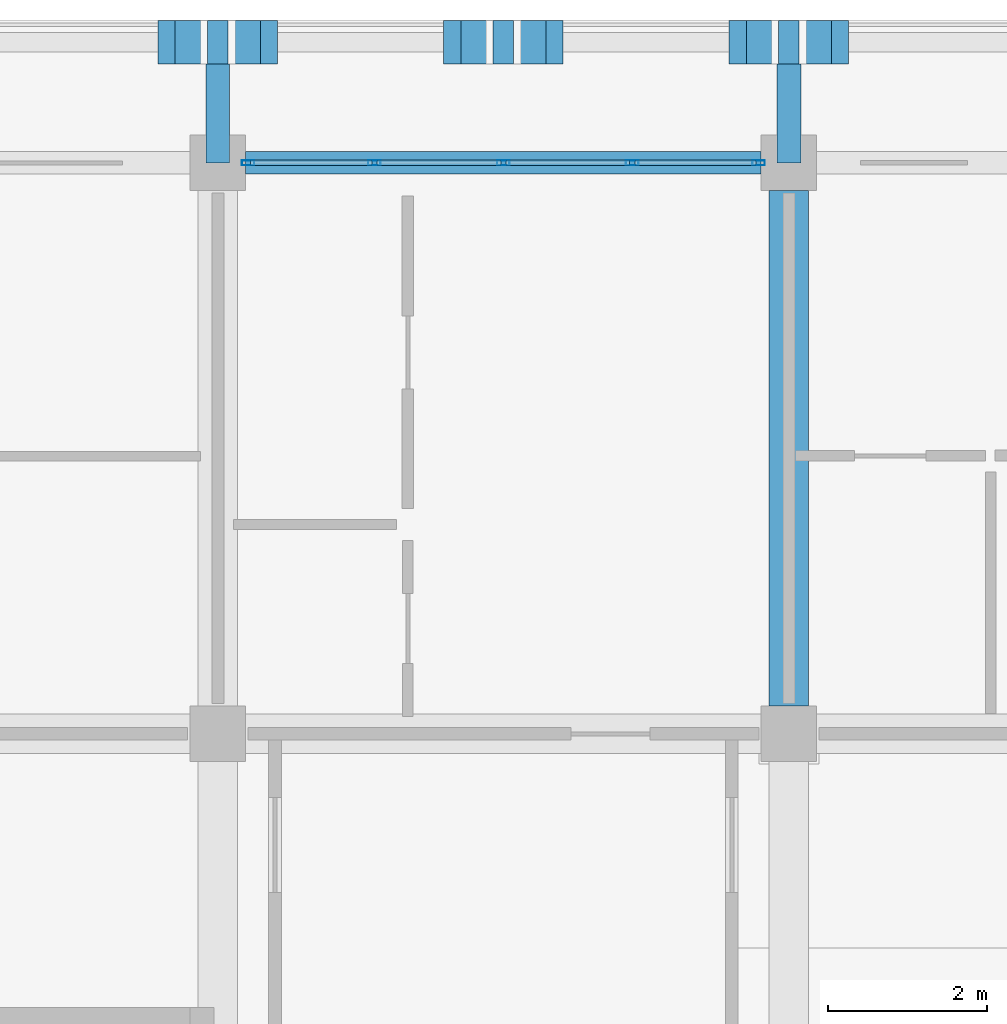
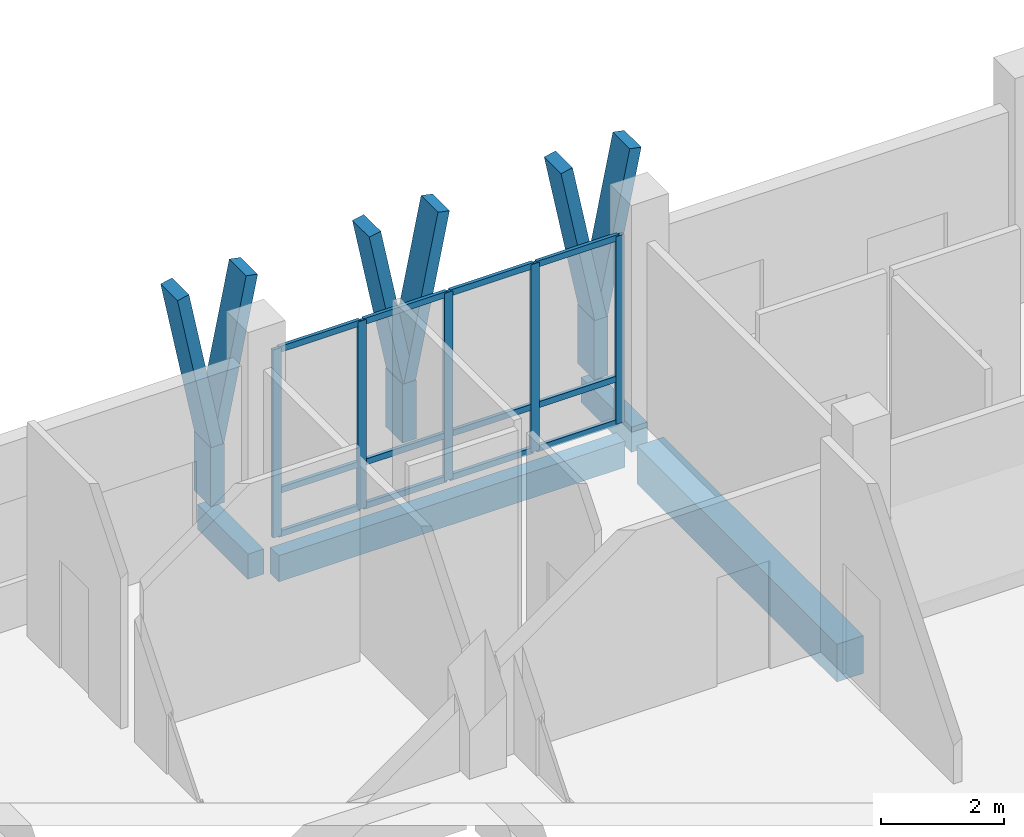
# One storey, part 54 of 110: 26 members, 4 beams, 1 element without a shape of its own.
"""IFC4 building model written with IfcOpenShell, lengths in metres."""

from ifc_helpers import new_model, si_unit, direction, frame, origin, origin_2d, place, context, subcontext, project, spatial, rectangle, hollow_rectangle, extrude, material, material_profile, profile_set, type_object, element, aggregate, save


model = new_model("IFC4")

# Units and contexts
model_context = context("Model", 3, precision=1e-05, world=origin(), true_north=direction((0.0, 1.0)))
body_context = subcontext(model_context, "Body", "Model", "MODEL_VIEW")
ifc_project = project(units=[si_unit("LENGTHUNIT", "METRE"), si_unit("AREAUNIT", "SQUARE_METRE"), si_unit("VOLUMEUNIT", "CUBIC_METRE"), si_unit("PLANEANGLEUNIT", "RADIAN"), si_unit("MASSUNIT", "GRAM", prefix="KILO")], contexts=[model_context])

# Site, building, storey
site_placement = place(None, origin())
site = spatial("IfcSite", under=ifc_project, at=site_placement, CompositionType="ELEMENT")
building_placement = place(site_placement, origin())
building = spatial("IfcBuilding", under=site, at=building_placement, Name="Suanplinth Sawtooth Commons", CompositionType="ELEMENT")
storey_placement = place(building_placement, frame((0.0, 0.0, 4.5)))
storey = spatial("IfcBuildingStorey", under=building, at=storey_placement, Name="L01", CompositionType="ELEMENT", Elevation=4.5)

# Beams
ifc_material_1 = material(Name="Concrete C40/50", Category="concrete")
ifc_material_profile_1 = material_profile(ifc_material_1, rectangle(XDim=0.5, YDim=0.75, at=origin_2d()), Name="RC-GDR 500x750")
ifc_profile_set_1 = profile_set([ifc_material_profile_1], Name="Concrete C40/50")
beam_type_1 = type_object("IfcBeamType", Name="B-03", PredefinedType="USERDEFINED", material=ifc_profile_set_1)
beam_1_placement = place(storey_placement, frame((172.800048828125, 115.550048828125, -0.675048828125), z_axis=(0.0, 1.0, 0.0), x_axis=(-1.0, 0.0, 0.0)))
element("IfcBeam", 1, at=beam_1_placement, inside=storey, type_object=beam_type_1, Name="BMY-L01-B-24-16", ObjectType="GIRDER", PredefinedType="USERDEFINED", context=body_context, shape_type="SweptSolid", body=[
    extrude(rectangle(XDim=0.5, YDim=0.75, at=origin_2d()), origin(), (0.0, 0.0, 1.0), 6.5),
])
ifc_material_2 = material(Name="Precast concrete C40/50", Category="concrete")
ifc_material_profile_2 = material_profile(ifc_material_2, rectangle(XDim=0.300048828125, YDim=0.5, at=origin_2d()), Name="PC-BM 300x500")
ifc_profile_set_2 = profile_set([ifc_material_profile_2], Name="Precast concrete C40/50")
beam_type_2 = type_object("IfcBeamType", Name="B-07", PredefinedType="BEAM", material=ifc_profile_set_2)
for number, where, z_axis, x_axis, name in (
    (2, (165.60009765625, 122.39990234375, -0.429931640625), (0.0, 1.0, 0.0), (-1.0, 0.0, 0.0), "Balcony Outrigger L01-B-N-23"),
    (3, (172.800048828125, 122.39990234375, -0.429931640625), (0.0, 1.0, 0.0), (-1.0, 0.0, 0.0), "Balcony Outrigger L01-B-N-24"),
):
    element("IfcBeam", number, at=place(storey_placement, frame(where, z_axis=z_axis, x_axis=x_axis)), inside=storey, type_object=beam_type_2, Name=name, PredefinedType="BEAM", context=body_context, shape_type="SweptSolid", body=[
        extrude(rectangle(XDim=0.300048828125, YDim=0.5, at=origin_2d()), origin(), (0.0, 0.0, 1.0), 1.64013671875),
    ])
ifc_material_profile_3 = material_profile(ifc_material_2, rectangle(XDim=0.280029296875, YDim=0.52001953125, at=origin_2d()), Name="PC-SP 280x520")
ifc_profile_set_3 = profile_set([ifc_material_profile_3], Name="Precast concrete C40/50")
beam_type_3 = type_object("IfcBeamType", Name="B-08", PredefinedType="SPANDREL", material=ifc_profile_set_3)
beam_2_placement = place(storey_placement, frame((165.949951171875, 122.39990234375, -0.56005859375), z_axis=(1.0, 0.0, 0.0), x_axis=(0.0, 1.0, 0.0)))
element("IfcBeam", 4, at=beam_2_placement, inside=storey, type_object=beam_type_3, Name="BMX-L01-B-23-17", PredefinedType="SPANDREL", context=body_context, shape_type="SweptSolid", body=[
    extrude(rectangle(XDim=0.280029296875, YDim=0.52001953125, at=origin_2d()), origin(), (0.0, 0.0, 1.0), 6.5),
])

# Members
ifc_material_3 = material(Name="Pigmented precast concrete C40/50", Category="concrete")
ifc_material_profile_4 = material_profile(ifc_material_3, rectangle(XDim=0.260009765625, YDim=0.550048828125, at=origin_2d()), Name="PC-FIN 260x550")
ifc_profile_set_4 = profile_set([ifc_material_profile_4], Name="Pigmented precast concrete C40/50")
member_type_1 = type_object("IfcMemberType", Name="M-09", PredefinedType="USERDEFINED", material=ifc_profile_set_4)
for number, where, z_axis, x_axis, name in (
    (5, (165.60009765625, 123.919921875, 0.0), (0.0, 0.0, 1.0), (1.0, 0.0, 0.0), "Y-Blade Stem L01-B-N-06"),
    (6, (169.199951171875, 123.919921875, 0.0), (0.0, 0.0, 1.0), (1.0, 0.0, 0.0), "Y-Blade Stem L01-B-N-07"),
    (7, (172.800048828125, 123.919921875, 0.0), (0.0, 0.0, 1.0), (1.0, 0.0, 0.0), "Y-Blade Stem L01-B-N-08"),
):
    element("IfcMember", number, at=place(storey_placement, frame(where, z_axis=z_axis, x_axis=x_axis)), inside=storey, type_object=member_type_1, Name=name, ObjectType="SHADING FIN", PredefinedType="USERDEFINED", context=body_context, shape_type="SweptSolid", body=[
        extrude(rectangle(XDim=0.260009765625, YDim=0.550048828125, at=origin_2d()), origin(), (0.0, 0.0, 1.0), 1.169921875),
    ])
ifc_material_profile_5 = material_profile(ifc_material_3, rectangle(XDim=0.219970703125, YDim=0.550048828125, at=origin_2d()), Name="PC-FIN 220x550")
ifc_profile_set_5 = profile_set([ifc_material_profile_5], Name="Pigmented precast concrete C40/50")
member_type_2 = type_object("IfcMemberType", Name="M-10", PredefinedType="USERDEFINED", material=ifc_profile_set_5)
member_1_placement = place(storey_placement, frame((165.60009765625, 123.919921875, 1.1298828125), z_axis=(-0.197582858822, 0.0, 0.980286189793), x_axis=(0.980286189793, 0.0, 0.197582858822)))
element("IfcMember", 8, at=member_1_placement, inside=storey, type_object=member_type_2, Name="Y-Blade Arm L L01-B-N-06", ObjectType="SHADING FIN", PredefinedType="USERDEFINED", context=body_context, shape_type="SweptSolid", body=[
    extrude(rectangle(XDim=0.219970703125, YDim=0.550048828125, at=origin_2d()), origin(), (0.0, 0.0, 1.0), 3.2646484375),
])
for number, where, z_axis, x_axis, name in (
    (9, (165.60009765625, 123.919921875, 1.1298828125), (0.197510991436, 0.0, 0.980300672377), (-0.980300672377, 0.0, 0.197510991436), "Y-Blade Arm R L01-B-N-06"),
    (10, (169.199951171875, 123.919921875, 1.1298828125), (-0.197510991436, 0.0, 0.980300672377), (0.980300672377, 0.0, 0.197510991436), "Y-Blade Arm L L01-B-N-07"),
):
    element("IfcMember", number, at=place(storey_placement, frame(where, z_axis=z_axis, x_axis=x_axis)), inside=storey, type_object=member_type_2, Name=name, ObjectType="SHADING FIN", PredefinedType="USERDEFINED", context=body_context, shape_type="SweptSolid", body=[
        extrude(rectangle(XDim=0.219970703125, YDim=0.550048828125, at=origin_2d()), origin(), (0.0, 0.0, 1.0), 3.264404296875),
    ])
for number, where, z_axis, x_axis, name in (
    (11, (169.199951171875, 123.919921875, 1.1298828125), (0.197582858822, 0.0, 0.980286189793), (-0.980286189793, 0.0, 0.197582858822), "Y-Blade Arm R L01-B-N-07"),
    (12, (172.800048828125, 123.919921875, 1.1298828125), (-0.197582858822, 0.0, 0.980286189793), (0.980286189793, 0.0, 0.197582858822), "Y-Blade Arm L L01-B-N-08"),
):
    element("IfcMember", number, at=place(storey_placement, frame(where, z_axis=z_axis, x_axis=x_axis)), inside=storey, type_object=member_type_2, Name=name, ObjectType="SHADING FIN", PredefinedType="USERDEFINED", context=body_context, shape_type="SweptSolid", body=[
        extrude(rectangle(XDim=0.219970703125, YDim=0.550048828125, at=origin_2d()), origin(), (0.0, 0.0, 1.0), 3.2646484375),
    ])
member_2_placement = place(storey_placement, frame((172.800048828125, 123.919921875, 1.1298828125), z_axis=(0.197510991436, 0.0, 0.980300672377), x_axis=(-0.980300672377, 0.0, 0.197510991436)))
element("IfcMember", 13, at=member_2_placement, inside=storey, type_object=member_type_2, Name="Y-Blade Arm R L01-B-N-08", ObjectType="SHADING FIN", PredefinedType="USERDEFINED", context=body_context, shape_type="SweptSolid", body=[
    extrude(rectangle(XDim=0.219970703125, YDim=0.550048828125, at=origin_2d()), origin(), (0.0, 0.0, 1.0), 3.264404296875),
])

# Curtain wall, members
ifc_material_4 = material(Name="Anodized aluminium and low-E glazing", Category="aluminium")
curtain_wall_type = type_object("IfcCurtainWallType", Name="CW-06", PredefinedType="USERDEFINED", material=ifc_material_4)
curtain_wall_placement = place(storey_placement, origin())
curtain_wall = element("IfcCurtainWall", 14, at=curtain_wall_placement, inside=storey, type_object=curtain_wall_type, Name="Curtain Wall CW-L01-B-LOUNGE-23", ObjectType="CURTAIN WALL", PredefinedType="USERDEFINED")
ifc_material_5 = material(Name="Anodized aluminium 6063-T6", Category="aluminium")
ifc_material_profile_6 = material_profile(ifc_material_5, hollow_rectangle(XDim=0.06494140625, YDim=0.159912109375, WallThickness=0.00390625, at=origin_2d()), Name="ALU-MUL 65x160")
ifc_profile_set_6 = profile_set([ifc_material_profile_6], Name="Anodized aluminium 6063-T6")
member_type_3 = type_object("IfcMemberType", Name="M-13", PredefinedType="MULLION", material=ifc_profile_set_6)
member_3_placement = place(storey_placement, frame((165.982421875, 122.39990234375, 0.0), z_axis=(0.0, 0.0, 1.0), x_axis=(0.0, 1.0, 0.0)))
member_3 = element("IfcMember", 15, at=member_3_placement, type_object=member_type_3, Name="CW-06 mullion 1", PredefinedType="MULLION", context=body_context, shape_type="SweptSolid", body=[
    extrude(hollow_rectangle(XDim=0.06494140625, YDim=0.159912109375, WallThickness=0.00390625, at=origin_2d()), origin(), (0.0, 0.0, 1.0), 3.72998046875),
])
member_4_placement = place(storey_placement, frame((167.574951171875, 122.39990234375, 0.0), z_axis=(0.0, 0.0, 1.0), x_axis=(0.0, 1.0, 0.0)))
member_4 = element("IfcMember", 16, at=member_4_placement, type_object=member_type_3, Name="CW-06 mullion 2", PredefinedType="MULLION", context=body_context, shape_type="SweptSolid", body=[
    extrude(hollow_rectangle(XDim=0.06494140625, YDim=0.159912109375, WallThickness=0.00390625, at=origin_2d()), origin(), (0.0, 0.0, 1.0), 3.72998046875),
])
member_5_placement = place(storey_placement, frame((169.199951171875, 122.39990234375, 0.0), z_axis=(0.0, 0.0, 1.0), x_axis=(0.0, 1.0, 0.0)))
member_5 = element("IfcMember", 17, at=member_5_placement, type_object=member_type_3, Name="CW-06 mullion 3", PredefinedType="MULLION", context=body_context, shape_type="SweptSolid", body=[
    extrude(hollow_rectangle(XDim=0.06494140625, YDim=0.159912109375, WallThickness=0.00390625, at=origin_2d()), origin(), (0.0, 0.0, 1.0), 3.72998046875),
])
member_6_placement = place(storey_placement, frame((170.824951171875, 122.39990234375, 0.0), z_axis=(0.0, 0.0, 1.0), x_axis=(0.0, 1.0, 0.0)))
member_6 = element("IfcMember", 18, at=member_6_placement, type_object=member_type_3, Name="CW-06 mullion 4", PredefinedType="MULLION", context=body_context, shape_type="SweptSolid", body=[
    extrude(hollow_rectangle(XDim=0.06494140625, YDim=0.159912109375, WallThickness=0.00390625, at=origin_2d()), origin(), (0.0, 0.0, 1.0), 3.72998046875),
])
member_7_placement = place(storey_placement, frame((172.41748046875, 122.39990234375, 0.0), z_axis=(0.0, 0.0, 1.0), x_axis=(0.0, 1.0, 0.0)))
member_7 = element("IfcMember", 19, at=member_7_placement, type_object=member_type_3, Name="CW-06 mullion 5", PredefinedType="MULLION", context=body_context, shape_type="SweptSolid", body=[
    extrude(hollow_rectangle(XDim=0.06494140625, YDim=0.159912109375, WallThickness=0.00390625, at=origin_2d()), origin(), (0.0, 0.0, 1.0), 3.72998046875),
])
ifc_material_profile_7 = material_profile(ifc_material_5, hollow_rectangle(XDim=0.06494140625, YDim=0.1201171875, WallThickness=0.00390625, at=origin_2d()), Name="ALU-TRN 65x120")
ifc_profile_set_7 = profile_set([ifc_material_profile_7], Name="Anodized aluminium 6063-T6")
member_type_4 = type_object("IfcMemberType", Name="M-15", PredefinedType="USERDEFINED", material=ifc_profile_set_7)
member_8_placement = place(storey_placement, frame((166.014892578125, 122.39990234375, 0.032470703125), z_axis=(1.0, 0.0, 0.0), x_axis=(0.0, 1.0, 0.0)))
member_8 = element("IfcMember", 20, at=member_8_placement, type_object=member_type_4, Name="CW-06 transom 1.1", ObjectType="TRANSOM", PredefinedType="USERDEFINED", context=body_context, shape_type="SweptSolid", body=[
    extrude(hollow_rectangle(XDim=0.06494140625, YDim=0.1201171875, WallThickness=0.00390625, at=origin_2d()), origin(), (0.0, 0.0, 1.0), 1.527587890625),
])
member_9_placement = place(storey_placement, frame((166.014892578125, 122.39990234375, 0.89990234375), z_axis=(1.0, 0.0, 0.0), x_axis=(0.0, 1.0, 0.0)))
member_9 = element("IfcMember", 21, at=member_9_placement, type_object=member_type_4, Name="CW-06 transom 1.2", ObjectType="TRANSOM", PredefinedType="USERDEFINED", context=body_context, shape_type="SweptSolid", body=[
    extrude(hollow_rectangle(XDim=0.06494140625, YDim=0.1201171875, WallThickness=0.00390625, at=origin_2d()), origin(), (0.0, 0.0, 1.0), 1.527587890625),
])
member_10_placement = place(storey_placement, frame((166.014892578125, 122.39990234375, 3.697509765625), z_axis=(1.0, 0.0, 0.0), x_axis=(0.0, 1.0, 0.0)))
member_10 = element("IfcMember", 22, at=member_10_placement, type_object=member_type_4, Name="CW-06 transom 1.3", ObjectType="TRANSOM", PredefinedType="USERDEFINED", context=body_context, shape_type="SweptSolid", body=[
    extrude(hollow_rectangle(XDim=0.06494140625, YDim=0.1201171875, WallThickness=0.00390625, at=origin_2d()), origin(), (0.0, 0.0, 1.0), 1.527587890625),
])
member_11_placement = place(storey_placement, frame((167.607421875, 122.39990234375, 0.032470703125), z_axis=(1.0, 0.0, 0.0), x_axis=(0.0, 1.0, 0.0)))
member_11 = element("IfcMember", 23, at=member_11_placement, type_object=member_type_4, Name="CW-06 transom 2.1", ObjectType="TRANSOM", PredefinedType="USERDEFINED", context=body_context, shape_type="SweptSolid", body=[
    extrude(hollow_rectangle(XDim=0.06494140625, YDim=0.1201171875, WallThickness=0.00390625, at=origin_2d()), origin(), (0.0, 0.0, 1.0), 1.56005859375),
])
member_12_placement = place(storey_placement, frame((167.607421875, 122.39990234375, 0.89990234375), z_axis=(1.0, 0.0, 0.0), x_axis=(0.0, 1.0, 0.0)))
member_12 = element("IfcMember", 24, at=member_12_placement, type_object=member_type_4, Name="CW-06 transom 2.2", ObjectType="TRANSOM", PredefinedType="USERDEFINED", context=body_context, shape_type="SweptSolid", body=[
    extrude(hollow_rectangle(XDim=0.06494140625, YDim=0.1201171875, WallThickness=0.00390625, at=origin_2d()), origin(), (0.0, 0.0, 1.0), 1.56005859375),
])
member_13_placement = place(storey_placement, frame((167.607421875, 122.39990234375, 3.697509765625), z_axis=(1.0, 0.0, 0.0), x_axis=(0.0, 1.0, 0.0)))
member_13 = element("IfcMember", 25, at=member_13_placement, type_object=member_type_4, Name="CW-06 transom 2.3", ObjectType="TRANSOM", PredefinedType="USERDEFINED", context=body_context, shape_type="SweptSolid", body=[
    extrude(hollow_rectangle(XDim=0.06494140625, YDim=0.1201171875, WallThickness=0.00390625, at=origin_2d()), origin(), (0.0, 0.0, 1.0), 1.56005859375),
])
member_14_placement = place(storey_placement, frame((169.232421875, 122.39990234375, 0.032470703125), z_axis=(1.0, 0.0, 0.0), x_axis=(0.0, 1.0, 0.0)))
member_14 = element("IfcMember", 26, at=member_14_placement, type_object=member_type_4, Name="CW-06 transom 3.1", ObjectType="TRANSOM", PredefinedType="USERDEFINED", context=body_context, shape_type="SweptSolid", body=[
    extrude(hollow_rectangle(XDim=0.06494140625, YDim=0.1201171875, WallThickness=0.00390625, at=origin_2d()), origin(), (0.0, 0.0, 1.0), 1.56005859375),
])
member_15_placement = place(storey_placement, frame((169.232421875, 122.39990234375, 0.89990234375), z_axis=(1.0, 0.0, 0.0), x_axis=(0.0, 1.0, 0.0)))
member_15 = element("IfcMember", 27, at=member_15_placement, type_object=member_type_4, Name="CW-06 transom 3.2", ObjectType="TRANSOM", PredefinedType="USERDEFINED", context=body_context, shape_type="SweptSolid", body=[
    extrude(hollow_rectangle(XDim=0.06494140625, YDim=0.1201171875, WallThickness=0.00390625, at=origin_2d()), origin(), (0.0, 0.0, 1.0), 1.56005859375),
])
member_16_placement = place(storey_placement, frame((169.232421875, 122.39990234375, 3.697509765625), z_axis=(1.0, 0.0, 0.0), x_axis=(0.0, 1.0, 0.0)))
member_16 = element("IfcMember", 28, at=member_16_placement, type_object=member_type_4, Name="CW-06 transom 3.3", ObjectType="TRANSOM", PredefinedType="USERDEFINED", context=body_context, shape_type="SweptSolid", body=[
    extrude(hollow_rectangle(XDim=0.06494140625, YDim=0.1201171875, WallThickness=0.00390625, at=origin_2d()), origin(), (0.0, 0.0, 1.0), 1.56005859375),
])
member_17_placement = place(storey_placement, frame((170.857421875, 122.39990234375, 0.032470703125), z_axis=(1.0, 0.0, 0.0), x_axis=(0.0, 1.0, 0.0)))
member_17 = element("IfcMember", 29, at=member_17_placement, type_object=member_type_4, Name="CW-06 transom 4.1", ObjectType="TRANSOM", PredefinedType="USERDEFINED", context=body_context, shape_type="SweptSolid", body=[
    extrude(hollow_rectangle(XDim=0.06494140625, YDim=0.1201171875, WallThickness=0.00390625, at=origin_2d()), origin(), (0.0, 0.0, 1.0), 1.527587890625),
])
member_18_placement = place(storey_placement, frame((170.857421875, 122.39990234375, 0.89990234375), z_axis=(1.0, 0.0, 0.0), x_axis=(0.0, 1.0, 0.0)))
member_18 = element("IfcMember", 30, at=member_18_placement, type_object=member_type_4, Name="CW-06 transom 4.2", ObjectType="TRANSOM", PredefinedType="USERDEFINED", context=body_context, shape_type="SweptSolid", body=[
    extrude(hollow_rectangle(XDim=0.06494140625, YDim=0.1201171875, WallThickness=0.00390625, at=origin_2d()), origin(), (0.0, 0.0, 1.0), 1.527587890625),
])
member_19_placement = place(storey_placement, frame((170.857421875, 122.39990234375, 3.697509765625), z_axis=(1.0, 0.0, 0.0), x_axis=(0.0, 1.0, 0.0)))
member_19 = element("IfcMember", 31, at=member_19_placement, type_object=member_type_4, Name="CW-06 transom 4.3", ObjectType="TRANSOM", PredefinedType="USERDEFINED", context=body_context, shape_type="SweptSolid", body=[
    extrude(hollow_rectangle(XDim=0.06494140625, YDim=0.1201171875, WallThickness=0.00390625, at=origin_2d()), origin(), (0.0, 0.0, 1.0), 1.527587890625),
])
aggregate(curtain_wall, [member_3, member_4, member_5, member_6, member_7, member_8, member_9, member_10, member_11, member_12, member_13, member_14, member_15, member_16, member_17, member_18, member_19])

save(model, "model.ifc")
